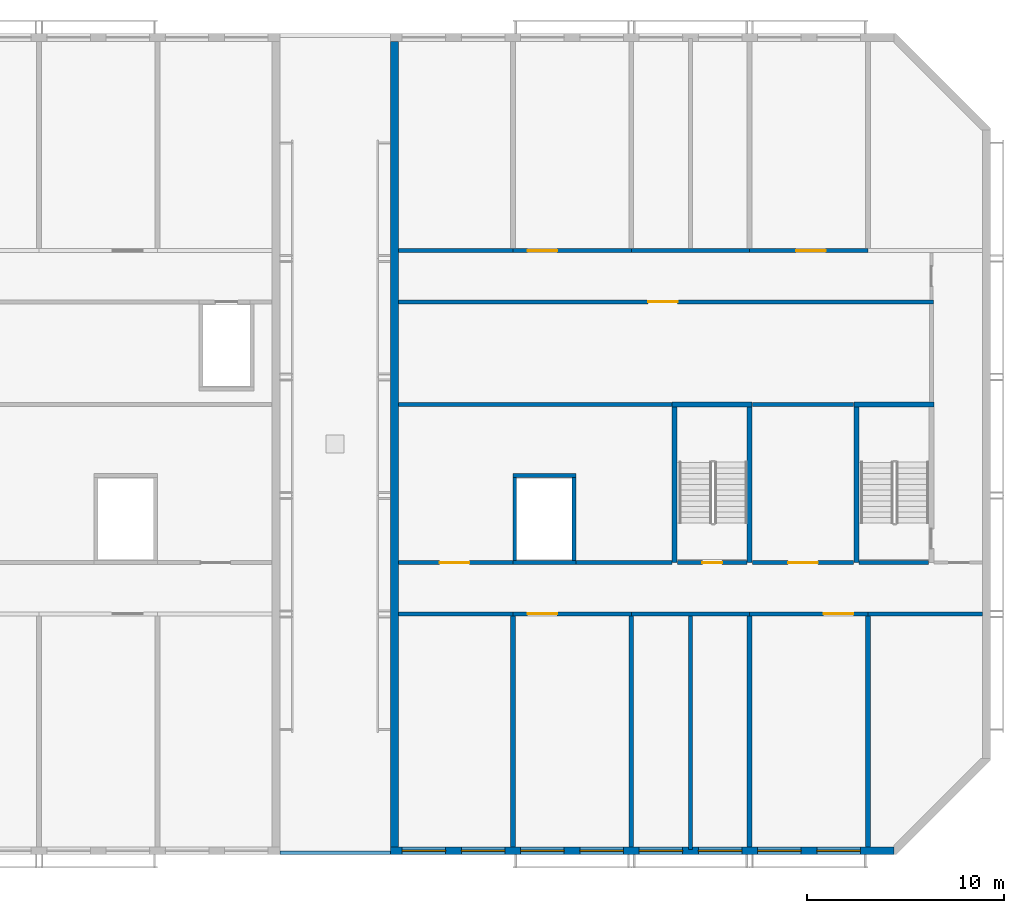
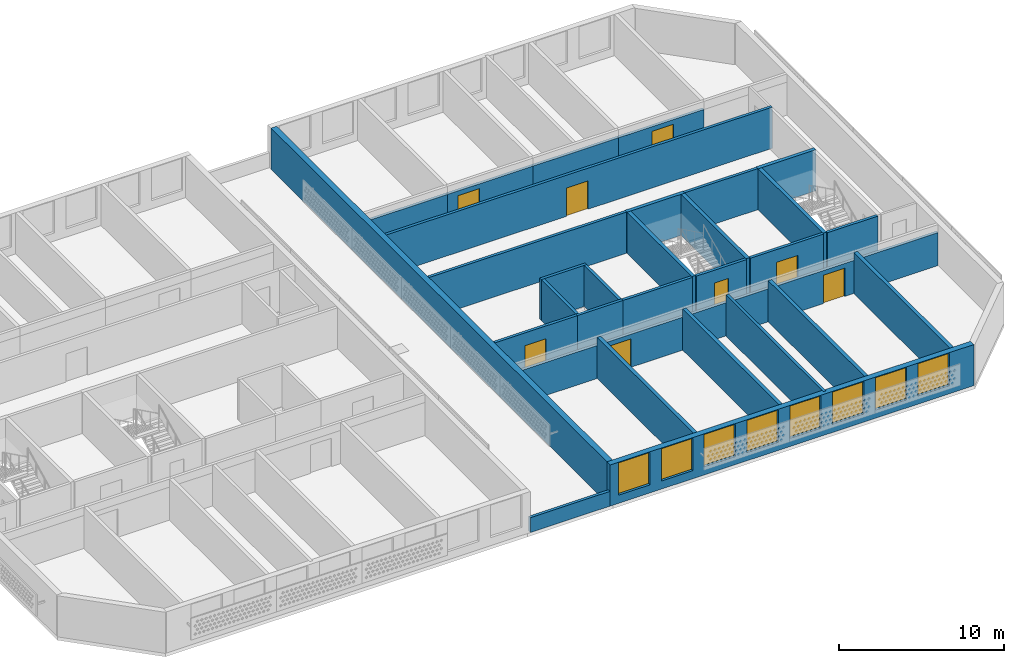
# One storey, part 3 of 18: 34 walls, 8 doors, 8 windows, 16 openings.
"""IFC4 building model written with IfcOpenShell, lengths in metres."""

import ifcopenshell
import ifcopenshell.guid

model = None  # the IFC model being written
_history = None  # IfcOwnerHistory: only IFC2X3 demands one
_inside = {}  # id of a spatial element -> (the spatial element, [elements in it])
_under = {}  # id of a project, library or spatial element -> (it, [spatial elements below it])
_declared = {}  # id of a project -> (the project, [libraries it declares])
_typed = {}  # id of a type object -> (the type object, [elements of that type])
_made_of = {}  # id of a material, layer set ... -> (it, [elements and type objects made of it])


def new_model(schema):
    """Start an empty IFC model of exactly this schema.

    Asked for "IFC4X3", IfcOpenShell would pick the latest addendum, in which some entities
    have other attributes; the version numbers below select the first issue.
    IFC2X3 requires an IfcOwnerHistory on every rooted entity: one is made here for all.
    """
    global model, _history
    if schema == "IFC4X3":
        model = ifcopenshell.file(schema_version=(4, 3, 0, 0))
    else:
        model = ifcopenshell.file(schema=schema)
    _inside.clear()
    _under.clear()
    _declared.clear()
    _typed.clear()
    _made_of.clear()
    _history = None
    if model.schema == "IFC2X3":
        org = make("IfcOrganization", Name="unknown")
        user = make(
            "IfcPersonAndOrganization",
            ThePerson=make("IfcPerson", FamilyName="unknown"),
            TheOrganization=org,
        )
        app = make(
            "IfcApplication",
            ApplicationDeveloper=org,
            Version="unknown",
            ApplicationFullName="unknown",
            ApplicationIdentifier="unknown",
        )
        _history = make(
            "IfcOwnerHistory",
            OwningUser=user,
            OwningApplication=app,
            ChangeAction="ADDED",
            CreationDate=0,
        )
    return model


def make(cls, **values):
    """One entity of the class cls with the attributes given. An attribute that is None is left unset."""
    return model.create_entity(
        cls, **{name: value for name, value in values.items() if value is not None}
    )


def rooted(cls, **values):
    """An entity with a GlobalId (a new one), such as an element, a storey or a relation."""
    return make(cls, GlobalId=ifcopenshell.guid.new(), OwnerHistory=_history, **values)


def si_unit(unit_type, name, prefix=None):
    """IfcSIUnit, for example si_unit("LENGTHUNIT", "METRE", prefix="MILLI")."""
    return make("IfcSIUnit", UnitType=unit_type, Prefix=prefix, Name=name)


def assignment(units):
    """IfcUnitAssignment: the units of a project."""
    return None if units is None else make("IfcUnitAssignment", Units=units)


def point(xyz):
    """IfcCartesianPoint."""
    return None if xyz is None else make("IfcCartesianPoint", Coordinates=xyz)


def direction(xyz):
    """IfcDirection."""
    return None if xyz is None else make("IfcDirection", DirectionRatios=xyz)


def frame(location, z_axis=None, x_axis=None):
    """IfcAxis2Placement3D, a coordinate frame: its origin and axes. An axis left out is left unset."""
    return make(
        "IfcAxis2Placement3D",
        Location=point(location),
        Axis=direction(z_axis),
        RefDirection=direction(x_axis),
    )


def frame_2d(location, x_axis=None):
    """IfcAxis2Placement2D, a coordinate frame in the plane: its origin and x axis."""
    return make(
        "IfcAxis2Placement2D", Location=point(location), RefDirection=direction(x_axis)
    )


def origin():
    """The frame at (0, 0, 0) with its axes left unset."""
    return frame((0.0, 0.0, 0.0))


def place(relative_to, where):
    """IfcLocalPlacement: puts the frame where relative to a parent placement (None: the world)."""
    return make(
        "IfcLocalPlacement", PlacementRelTo=relative_to, RelativePlacement=where
    )


def context(
    kind, dimensions, precision=None, world=None, true_north=None, identifier=None
):
    """IfcGeometricRepresentationContext, for example the 3D "Model" context."""
    return make(
        "IfcGeometricRepresentationContext",
        ContextIdentifier=identifier,
        ContextType=kind,
        CoordinateSpaceDimension=dimensions,
        Precision=precision,
        WorldCoordinateSystem=world,
        TrueNorth=true_north,
    )


def subcontext(parent, identifier, kind, view, scale=None):
    """IfcGeometricRepresentationSubContext, for example "Body" below "Model"."""
    return make(
        "IfcGeometricRepresentationSubContext",
        ContextIdentifier=identifier,
        ContextType=kind,
        ParentContext=parent,
        TargetScale=scale,
        TargetView=view,
    )


def project(units=None, contexts=None):
    """IfcProject with its units and contexts."""
    return rooted(
        "IfcProject",
        Name="project",
        RepresentationContexts=contexts,
        UnitsInContext=assignment(units),
    )


def spatial(cls, under=None, at=None, **own):
    """A site, building, storey or space (cls), placed at a placement, below another one or the project."""
    s = rooted(cls, ObjectPlacement=at, **own)
    if under is not None:
        _under.setdefault(under.id(), (under, []))[1].append(s)
    return s


def polyline(points):
    """IfcPolyline through the points."""
    return make("IfcPolyline", Points=[point(p) for p in points])


def profile(cls, at=None, kind="AREA", **sizes):
    """A parametric profile (cls). Its sizes go by their IFC names, for example OverallWidth=200.0."""
    return make(cls, ProfileType=kind, Position=at, **sizes)


def rectangle(**sizes):
    """IfcRectangleProfileDef."""
    return profile("IfcRectangleProfileDef", **sizes)


def outline(outer, holes=None, kind="AREA"):
    """IfcArbitraryClosedProfileDef: a profile drawn as a closed curve; with holes, ...WithVoids."""
    if holes is None:
        return make("IfcArbitraryClosedProfileDef", ProfileType=kind, OuterCurve=outer)
    return make(
        "IfcArbitraryProfileDefWithVoids",
        ProfileType=kind,
        OuterCurve=outer,
        InnerCurves=holes,
    )


def extrude(swept, where, along, depth):
    """IfcExtrudedAreaSolid: the profile swept, set in the frame where, extruded along a direction by depth."""
    return make(
        "IfcExtrudedAreaSolid",
        SweptArea=swept,
        Position=where,
        ExtrudedDirection=direction(along),
        Depth=depth,
    )


def shape(context_of_items, identifier, shape_type, items):
    """IfcShapeRepresentation: the items that make up one representation, for example the "Body"."""
    return make(
        "IfcShapeRepresentation",
        ContextOfItems=context_of_items,
        RepresentationIdentifier=identifier,
        RepresentationType=shape_type,
        Items=items,
    )


def material(Name=None, Category=None):
    """IfcMaterial."""
    return make("IfcMaterial", Name=Name, Category=Category)


def layer(
    of_material, thickness, ventilated=None, Name=None, Category=None, Priority=None
):
    """IfcMaterialLayer: one layer of a wall or slab, of a material (None: an air gap)."""
    return make(
        "IfcMaterialLayer",
        Material=of_material,
        LayerThickness=thickness,
        IsVentilated=ventilated,
        Name=Name,
        Category=Category,
        Priority=Priority,
    )


def layer_set(layers, Name=None):
    """IfcMaterialLayerSet."""
    return make("IfcMaterialLayerSet", MaterialLayers=layers, LayerSetName=Name)


def made_of(thing, what):
    """Note that an element or type object is made of a material, layer set ...; save() writes the relation."""
    if what is not None:
        _made_of.setdefault(what.id(), (what, []))[1].append(thing)
    return thing


def type_object(cls, material=None, **own):
    """A type object (cls), such as IfcWallType, which elements share."""
    return made_of(rooted(cls, **own), material)


def element(
    cls,
    number,
    at=None,
    inside=None,
    cuts=None,
    type_object=None,
    material=None,
    context=None,
    identifier="Body",
    shape_type=None,
    held_by="IfcProductDefinitionShape",
    body=None,
    shapes=None,
    **own,
):
    """One element of the class cls, such as IfcWall. Its Tag is "e" and its number.

    at: its placement. inside: the storey or other place that contains it. cuts: it is an
    opening in that element (IfcRelVoidsElement). A single representation is given by context,
    identifier, shape_type and body (its items); several are given by shapes. held_by: the class
    of the entity that holds the representations. save() writes the other relations.
    """
    e = rooted(cls, Tag="e%d" % number, ObjectPlacement=at, **own)
    if body is not None:
        shapes = [shape(context, identifier, shape_type, body)]
    if shapes is not None:
        e.Representation = make(held_by, Representations=shapes)
    if inside is not None:
        _inside.setdefault(inside.id(), (inside, []))[1].append(e)
    if cuts is not None:
        rooted(
            "IfcRelVoidsElement", RelatingBuildingElement=cuts, RelatedOpeningElement=e
        )
    if type_object is not None:
        _typed.setdefault(type_object.id(), (type_object, []))[1].append(e)
    return made_of(e, material)


def fill(opening, filler):
    """IfcRelFillsElement: the door or window that sits in an opening."""
    return rooted(
        "IfcRelFillsElement",
        RelatingOpeningElement=opening,
        RelatedBuildingElement=filler,
    )


def aggregate(whole, parts):
    """IfcRelAggregates: a whole, such as a stair, and the parts it consists of."""
    return rooted("IfcRelAggregates", RelatingObject=whole, RelatedObjects=parts)


def save(model, path):
    """Write the relations noted so far, then the file.

    IfcRelAggregates (storeys below a building ...), IfcRelContainedInSpatialStructure (elements
    in a storey), IfcRelDefinesByType, IfcRelAssociatesMaterial and IfcRelDeclares: one each for
    every whole, place, type object, material and project.
    """
    for whole, parts in _under.values():
        aggregate(whole, parts)
    for where, things in _inside.values():
        rooted(
            "IfcRelContainedInSpatialStructure",
            RelatedElements=things,
            RelatingStructure=where,
        )
    for kind, things in _typed.values():
        rooted("IfcRelDefinesByType", RelatedObjects=things, RelatingType=kind)
    for what, things in _made_of.values():
        rooted("IfcRelAssociatesMaterial", RelatedObjects=things, RelatingMaterial=what)
    for by, libraries in _declared.values():
        rooted("IfcRelDeclares", RelatingContext=by, RelatedDefinitions=libraries)
    model.write(path)


model = new_model("IFC4")

# Units and contexts
model_context = context("Model", 3, precision=1e-05, world=origin(), true_north=direction((0.0, 1.0)))
body_context = subcontext(model_context, "Body", "Model", "MODEL_VIEW")
ifc_project = project(units=[si_unit("LENGTHUNIT", "METRE"), si_unit("AREAUNIT", "SQUARE_METRE"), si_unit("VOLUMEUNIT", "CUBIC_METRE"), si_unit("PLANEANGLEUNIT", "RADIAN"), si_unit("MASSUNIT", "GRAM", prefix="KILO")], contexts=[model_context])

# Site, building, storey
site_placement = place(None, origin())
site = spatial("IfcSite", under=ifc_project, at=site_placement, CompositionType="ELEMENT")
building_placement = place(site_placement, origin())
building = spatial("IfcBuilding", under=site, at=building_placement, Name="Poui Terraces", CompositionType="ELEMENT")
storey_placement = place(building_placement, frame((0.0, 0.0, 272.39990234375)))
storey = spatial("IfcBuildingStorey", under=building, at=storey_placement, Name="L75 CROWN", CompositionType="ELEMENT", Elevation=272.39990234375)

# Wall
ifc_material_1 = material(Name="Concrete 50 MPa", Category="concrete")
ifc_layer_1 = layer(ifc_material_1, 0.199951171875)
ifc_layer_set_1 = layer_set([ifc_layer_1], Name="Concrete 50 MPa")
wall_type_1 = type_object("IfcWallType", Name="CORRIDOR WALL 200 50MPa", PredefinedType="SHEAR", material=ifc_layer_set_1)
wall_1_placement = place(storey_placement, frame((54.199951171875, 12.0, 0.0), z_axis=(0.0, 0.0, 1.0), x_axis=(1.0, 0.0, 0.0)))
element("IfcWall", 1, at=wall_1_placement, inside=storey, type_object=wall_type_1, Name="CORRIDOR WALL LINE B BAY E1", PredefinedType="SHEAR", context=body_context, shape_type="SweptSolid", body=[
    extrude(rectangle(XDim=5.800048828125, YDim=0.199951171875, at=frame_2d((2.89990234375, 0.0))), origin(), (0.0, 0.0, 1.0), 2.4501953125),
])

# Wall, opening, door
wall_2_placement = place(storey_placement, frame((60.0, 12.0, 0.0), z_axis=(0.0, 0.0, 1.0), x_axis=(1.0, 0.0, 0.0)))
wall_2 = element("IfcWall", 2, at=wall_2_placement, inside=storey, type_object=wall_type_1, Name="CORRIDOR WALL LINE B BAY E2", PredefinedType="SHEAR", context=body_context, shape_type="SweptSolid", body=[
    extrude(rectangle(XDim=6.0, YDim=0.199951171875, at=frame_2d((3.0, 0.0))), origin(), (0.0, 0.0, 1.0), 2.4501953125),
])
opening_1_placement = place(wall_2_placement, frame((0.75, 0.0, 0.0)))
opening_1 = element("IfcOpeningElement", 3, at=opening_1_placement, cuts=wall_2, Name="Opening FDP", PredefinedType="OPENING", context=body_context, shape_type="SweptSolid", body=[
    extrude(rectangle(XDim=1.5, YDim=2.10009765625, at=frame_2d((0.75, 1.050048828125))), frame((0.0, 0.10986328125, 0.0), z_axis=(0.0, -1.0, 0.0), x_axis=(1.0, 0.0, 0.0)), (0.0, 0.0, 1.0), 0.219970703125),
])
ifc_material_2 = material(Name="Steel fire door", Category="steel")
door_type_1 = type_object("IfcDoorType", Name="PLANT ROOM DOOR PAIR 1500 X 2100", OperationType="DOUBLE_DOOR_SINGLE_SWING", PredefinedType="DOOR", material=ifc_material_2)
door_1_placement = place(opening_1_placement, origin())
door_1 = element("IfcDoor", 4, at=door_1_placement, inside=storey, type_object=door_type_1, Name="PLANT ROOM DOOR PAIR 005", OperationType="DOUBLE_DOOR_SINGLE_SWING", OverallHeight=2.10009765625, OverallWidth=1.5, PredefinedType="DOOR", context=body_context, shape_type="SweptSolid", body=[
    extrude(rectangle(XDim=1.5, YDim=2.10009765625, at=frame_2d((0.75, 1.050048828125))), frame((0.0, 0.02490234375, 0.0), z_axis=(0.0, -1.0, 0.0), x_axis=(1.0, 0.0, 0.0)), (0.0, 0.0, 1.0), 0.050048828125),
])
fill(opening_1, door_1)

# Wall
wall_3_placement = place(storey_placement, frame((66.0, 12.0, 0.0), z_axis=(0.0, 0.0, 1.0), x_axis=(1.0, 0.0, 0.0)))
element("IfcWall", 5, at=wall_3_placement, inside=storey, type_object=wall_type_1, Name="CORRIDOR WALL LINE B BAY E3", PredefinedType="SHEAR", context=body_context, shape_type="SweptSolid", body=[
    extrude(rectangle(XDim=6.0, YDim=0.199951171875, at=frame_2d((3.0, 0.0))), origin(), (0.0, 0.0, 1.0), 2.4501953125),
])

# Wall, opening, door
wall_4_placement = place(storey_placement, frame((72.0, 12.0, 0.0), z_axis=(0.0, 0.0, 1.0), x_axis=(1.0, 0.0, 0.0)))
wall_4 = element("IfcWall", 6, at=wall_4_placement, inside=storey, type_object=wall_type_1, Name="CORRIDOR WALL LINE B BAY E4", PredefinedType="SHEAR", context=body_context, shape_type="SweptSolid", body=[
    extrude(rectangle(XDim=6.0, YDim=0.199951171875, at=frame_2d((3.0, 0.0))), origin(), (0.0, 0.0, 1.0), 2.4501953125),
])
opening_2_placement = place(wall_4_placement, frame((3.75, 0.0, 0.0)))
opening_2 = element("IfcOpeningElement", 7, at=opening_2_placement, cuts=wall_4, Name="Opening FDP", PredefinedType="OPENING", context=body_context, shape_type="SweptSolid", body=[
    extrude(rectangle(XDim=1.5, YDim=2.10009765625, at=frame_2d((0.75, 1.050048828125))), frame((0.0, 0.10986328125, 0.0), z_axis=(0.0, -1.0, 0.0), x_axis=(1.0, 0.0, 0.0)), (0.0, 0.0, 1.0), 0.219970703125),
])
door_2_placement = place(opening_2_placement, origin())
door_2 = element("IfcDoor", 8, at=door_2_placement, inside=storey, type_object=door_type_1, Name="PLANT ROOM DOOR PAIR 007", OperationType="DOUBLE_DOOR_SINGLE_SWING", OverallHeight=2.10009765625, OverallWidth=1.5, PredefinedType="DOOR", context=body_context, shape_type="SweptSolid", body=[
    extrude(rectangle(XDim=1.5, YDim=2.10009765625, at=frame_2d((0.75, 1.050048828125))), frame((0.0, 0.02490234375, 0.0), z_axis=(0.0, -1.0, 0.0), x_axis=(1.0, 0.0, 0.0)), (0.0, 0.0, 1.0), 0.050048828125),
])
fill(opening_2, door_2)

# Walls
for number, where, z_axis, x_axis, name in (
    (9, (78.0, 12.0, 0.0), (0.0, 0.0, 1.0), (1.0, 0.0, 0.0), "CORRIDOR WALL LINE B BAY E5"),
    (10, (54.199951171875, 30.39990234375, 0.0), (0.0, 0.0, 1.0), (1.0, 0.0, 0.0), "CORRIDOR WALL LINE E BAY E1"),
):
    element("IfcWall", number, at=place(storey_placement, frame(where, z_axis=z_axis, x_axis=x_axis)), inside=storey, type_object=wall_type_1, Name=name, PredefinedType="SHEAR", context=body_context, shape_type="SweptSolid", body=[
        extrude(rectangle(XDim=5.800048828125, YDim=0.199951171875, at=frame_2d((2.89990234375, 0.0))), origin(), (0.0, 0.0, 1.0), 2.4501953125),
    ])

# Wall, opening, door
wall_5_placement = place(storey_placement, frame((60.0, 30.39990234375, 0.0), z_axis=(0.0, 0.0, 1.0), x_axis=(1.0, 0.0, 0.0)))
wall_5 = element("IfcWall", 11, at=wall_5_placement, inside=storey, type_object=wall_type_1, Name="CORRIDOR WALL LINE E BAY E2", PredefinedType="SHEAR", context=body_context, shape_type="SweptSolid", body=[
    extrude(rectangle(XDim=6.0, YDim=0.199951171875, at=frame_2d((3.0, 0.0))), origin(), (0.0, 0.0, 1.0), 2.4501953125),
])
opening_3_placement = place(wall_5_placement, frame((0.75, 0.0, 0.0)))
opening_3 = element("IfcOpeningElement", 12, at=opening_3_placement, cuts=wall_5, Name="Opening FDP", PredefinedType="OPENING", context=body_context, shape_type="SweptSolid", body=[
    extrude(rectangle(XDim=1.5, YDim=2.10009765625, at=frame_2d((0.75, 1.050048828125))), frame((0.0, 0.10986328125, 0.0), z_axis=(0.0, -1.0, 0.0), x_axis=(1.0, 0.0, 0.0)), (0.0, 0.0, 1.0), 0.219970703125),
])
door_3_placement = place(opening_3_placement, frame((1.5, 0.0, 0.0), z_axis=(0.0, 0.0, 1.0), x_axis=(-1.0, 0.0, 0.0)))
door_3 = element("IfcDoor", 13, at=door_3_placement, inside=storey, type_object=door_type_1, Name="PLANT ROOM DOOR PAIR 001", OperationType="DOUBLE_DOOR_SINGLE_SWING", OverallHeight=2.10009765625, OverallWidth=1.5, PredefinedType="DOOR", context=body_context, shape_type="SweptSolid", body=[
    extrude(rectangle(XDim=1.5, YDim=2.10009765625, at=frame_2d((0.75, 1.050048828125))), frame((0.0, 0.02490234375, 0.0), z_axis=(0.0, -1.0, 0.0), x_axis=(1.0, 0.0, 0.0)), (0.0, 0.0, 1.0), 0.050048828125),
])
fill(opening_3, door_3)

# Wall
wall_6_placement = place(storey_placement, frame((66.0, 30.39990234375, 0.0), z_axis=(0.0, 0.0, 1.0), x_axis=(1.0, 0.0, 0.0)))
element("IfcWall", 14, at=wall_6_placement, inside=storey, type_object=wall_type_1, Name="CORRIDOR WALL LINE E BAY E3", PredefinedType="SHEAR", context=body_context, shape_type="SweptSolid", body=[
    extrude(rectangle(XDim=6.0, YDim=0.199951171875, at=frame_2d((3.0, 0.0))), origin(), (0.0, 0.0, 1.0), 2.4501953125),
])

# Wall, opening, door
wall_7_placement = place(storey_placement, frame((72.0, 30.39990234375, 0.0), z_axis=(0.0, 0.0, 1.0), x_axis=(1.0, 0.0, 0.0)))
wall_7 = element("IfcWall", 15, at=wall_7_placement, inside=storey, type_object=wall_type_1, Name="CORRIDOR WALL LINE E BAY E4", PredefinedType="SHEAR", context=body_context, shape_type="SweptSolid", body=[
    extrude(rectangle(XDim=6.0, YDim=0.199951171875, at=frame_2d((3.0, 0.0))), origin(), (0.0, 0.0, 1.0), 2.4501953125),
])
opening_4_placement = place(wall_7_placement, frame((2.35009765625, 0.0, 0.0)))
opening_4 = element("IfcOpeningElement", 16, at=opening_4_placement, cuts=wall_7, Name="Opening FDP", PredefinedType="OPENING", context=body_context, shape_type="SweptSolid", body=[
    extrude(rectangle(XDim=1.5, YDim=2.10009765625, at=frame_2d((0.75, 1.050048828125))), frame((0.0, 0.10986328125, 0.0), z_axis=(0.0, -1.0, 0.0), x_axis=(1.0, 0.0, 0.0)), (0.0, 0.0, 1.0), 0.219970703125),
])
door_4_placement = place(opening_4_placement, frame((1.5, 0.0, 0.0), z_axis=(0.0, 0.0, 1.0), x_axis=(-1.0, 0.0, 0.0)))
door_4 = element("IfcDoor", 17, at=door_4_placement, inside=storey, type_object=door_type_1, Name="PLANT ROOM DOOR PAIR 003", OperationType="DOUBLE_DOOR_SINGLE_SWING", OverallHeight=2.10009765625, OverallWidth=1.5, PredefinedType="DOOR", context=body_context, shape_type="SweptSolid", body=[
    extrude(rectangle(XDim=1.5, YDim=2.10009765625, at=frame_2d((0.75, 1.050048828125))), frame((0.0, 0.02490234375, 0.0), z_axis=(0.0, -1.0, 0.0), x_axis=(1.0, 0.0, 0.0)), (0.0, 0.0, 1.0), 0.050048828125),
])
fill(opening_4, door_4)

# Walls
ifc_layer_2 = layer(ifc_material_1, 0.25)
ifc_layer_set_2 = layer_set([ifc_layer_2], Name="Concrete 50 MPa")
wall_type_2 = type_object("IfcWallType", Name="CROSS WALL 250 50MPa", PredefinedType="SHEAR", material=ifc_layer_set_2)
for number, where, z_axis, x_axis, name in (
    (18, (60.0, 0.199951171875, 0.0), (0.0, 0.0, 1.0), (0.0, 1.0, 0.0), "CROSS WALL LINE 11 SOUTH"),
    (19, (66.0, 0.199951171875, 0.0), (0.0, 0.0, 1.0), (0.0, 1.0, 0.0), "CROSS WALL LINE 12 SOUTH"),
    (20, (72.0, 0.199951171875, 0.0), (0.0, 0.0, 1.0), (0.0, 1.0, 0.0), "CROSS WALL LINE 13 SOUTH"),
    (21, (78.0, 0.199951171875, 0.0), (0.0, 0.0, 1.0), (0.0, 1.0, 0.0), "CROSS WALL LINE 14 SOUTH"),
):
    element("IfcWall", number, at=place(storey_placement, frame(where, z_axis=z_axis, x_axis=x_axis)), inside=storey, type_object=wall_type_2, Name=name, PredefinedType="SHEAR", context=body_context, shape_type="SweptSolid", body=[
        extrude(rectangle(XDim=11.699951171875, YDim=0.25, at=frame_2d((5.85009765625, 0.0))), origin(), (0.0, 0.0, 1.0), 3.050048828125),
    ])
ifc_layer_3 = layer(ifc_material_1, 0.39990234375)
ifc_layer_set_3 = layer_set([ifc_layer_3], Name="Concrete 50 MPa")
wall_type_3 = type_object("IfcWallType", Name="END WALL 400 50MPa", PredefinedType="SHEAR", material=ifc_layer_set_3)
wall_8_placement = place(storey_placement, frame((54.0, 0.199951171875, 0.0), z_axis=(0.0, 0.0, 1.0), x_axis=(0.0, 1.0, 0.0)))
element("IfcWall", 22, at=wall_8_placement, inside=storey, type_object=wall_type_3, Name="END WALL LINE 10", PredefinedType="SHEAR", context=body_context, shape_type="SweptSolid", body=[
    extrude(rectangle(XDim=40.800048828125, YDim=0.39990234375, at=frame_2d((20.39990234375, 0.0))), origin(), (0.0, 0.0, 1.0), 3.050048828125),
])

# Wall, openings, windows
ifc_material_3 = material(Name="Precast concrete 40 MPa", Category="concrete")
ifc_layer_4 = layer(ifc_material_3, 0.39990234375)
ifc_layer_set_4 = layer_set([ifc_layer_4], Name="Precast concrete 40 MPa")
wall_type_4 = type_object("IfcWallType", Name="EXTERNAL WALL 400", PredefinedType="STANDARD", material=ifc_layer_set_4)
wall_9_placement = place(storey_placement, frame((53.800048828125, 0.0, 0.0), z_axis=(0.0, 0.0, 1.0), x_axis=(1.0, 0.0, 0.0)))
wall_9 = element("IfcWall", 23, at=wall_9_placement, inside=storey, type_object=wall_type_4, Name="EXTERNAL WALL S", PredefinedType="STANDARD", context=body_context, shape_type="SweptSolid", body=[
    extrude(rectangle(XDim=25.51708984375, YDim=0.39990234375, at=frame_2d((12.758544921875, 0.0))), origin(), (0.0, 0.0, 1.0), 3.050048828125),
])
opening_5_placement = place(wall_9_placement, frame((0.60009765625, 0.0, 0.60009765625)))
opening_5 = element("IfcOpeningElement", 24, at=opening_5_placement, cuts=wall_9, Name="Opening W5", PredefinedType="OPENING", context=body_context, shape_type="SweptSolid", body=[
    extrude(rectangle(XDim=2.199951171875, YDim=2.39990234375, at=frame_2d((1.10009765625, 1.199951171875))), frame((0.0, 0.2099609375, 0.0), z_axis=(0.0, -1.0, 0.0), x_axis=(1.0, 0.0, 0.0)), (0.0, 0.0, 1.0), 0.419921875),
])
opening_6_placement = place(wall_9_placement, frame((3.60009765625, 0.0, 0.60009765625)))
opening_6 = element("IfcOpeningElement", 25, at=opening_6_placement, cuts=wall_9, Name="Opening W5", PredefinedType="OPENING", context=body_context, shape_type="SweptSolid", body=[
    extrude(rectangle(XDim=2.199951171875, YDim=2.39990234375, at=frame_2d((1.10009765625, 1.199951171875))), frame((0.0, 0.2099609375, 0.0), z_axis=(0.0, -1.0, 0.0), x_axis=(1.0, 0.0, 0.0)), (0.0, 0.0, 1.0), 0.419921875),
])
opening_7_placement = place(wall_9_placement, frame((6.60009765625, 0.0, 0.60009765625)))
opening_7 = element("IfcOpeningElement", 26, at=opening_7_placement, cuts=wall_9, Name="Opening W5", PredefinedType="OPENING", context=body_context, shape_type="SweptSolid", body=[
    extrude(rectangle(XDim=2.199951171875, YDim=2.39990234375, at=frame_2d((1.10009765625, 1.199951171875))), frame((0.0, 0.2099609375, 0.0), z_axis=(0.0, -1.0, 0.0), x_axis=(1.0, 0.0, 0.0)), (0.0, 0.0, 1.0), 0.419921875),
])
opening_8_placement = place(wall_9_placement, frame((9.60009765625, 0.0, 0.60009765625)))
opening_8 = element("IfcOpeningElement", 27, at=opening_8_placement, cuts=wall_9, Name="Opening W5", PredefinedType="OPENING", context=body_context, shape_type="SweptSolid", body=[
    extrude(rectangle(XDim=2.199951171875, YDim=2.39990234375, at=frame_2d((1.10009765625, 1.199951171875))), frame((0.0, 0.2099609375, 0.0), z_axis=(0.0, -1.0, 0.0), x_axis=(1.0, 0.0, 0.0)), (0.0, 0.0, 1.0), 0.419921875),
])
opening_9_placement = place(wall_9_placement, frame((12.60009765625, 0.0, 0.60009765625)))
opening_9 = element("IfcOpeningElement", 28, at=opening_9_placement, cuts=wall_9, Name="Opening W5", PredefinedType="OPENING", context=body_context, shape_type="SweptSolid", body=[
    extrude(rectangle(XDim=2.199951171875, YDim=2.39990234375, at=frame_2d((1.10009765625, 1.199951171875))), frame((0.0, 0.2099609375, 0.0), z_axis=(0.0, -1.0, 0.0), x_axis=(1.0, 0.0, 0.0)), (0.0, 0.0, 1.0), 0.419921875),
])
opening_10_placement = place(wall_9_placement, frame((15.60009765625, 0.0, 0.60009765625)))
opening_10 = element("IfcOpeningElement", 29, at=opening_10_placement, cuts=wall_9, Name="Opening W5", PredefinedType="OPENING", context=body_context, shape_type="SweptSolid", body=[
    extrude(rectangle(XDim=2.199951171875, YDim=2.39990234375, at=frame_2d((1.10009765625, 1.199951171875))), frame((0.0, 0.2099609375, 0.0), z_axis=(0.0, -1.0, 0.0), x_axis=(1.0, 0.0, 0.0)), (0.0, 0.0, 1.0), 0.419921875),
])
opening_11_placement = place(wall_9_placement, frame((18.60009765625, 0.0, 0.60009765625)))
opening_11 = element("IfcOpeningElement", 30, at=opening_11_placement, cuts=wall_9, Name="Opening W5", PredefinedType="OPENING", context=body_context, shape_type="SweptSolid", body=[
    extrude(rectangle(XDim=2.199951171875, YDim=2.39990234375, at=frame_2d((1.10009765625, 1.199951171875))), frame((0.0, 0.2099609375, 0.0), z_axis=(0.0, -1.0, 0.0), x_axis=(1.0, 0.0, 0.0)), (0.0, 0.0, 1.0), 0.419921875),
])
opening_12_placement = place(wall_9_placement, frame((21.60009765625, 0.0, 0.60009765625)))
opening_12 = element("IfcOpeningElement", 31, at=opening_12_placement, cuts=wall_9, Name="Opening W5", PredefinedType="OPENING", context=body_context, shape_type="SweptSolid", body=[
    extrude(rectangle(XDim=2.199951171875, YDim=2.39990234375, at=frame_2d((1.10009765625, 1.199951171875))), frame((0.0, 0.2099609375, 0.0), z_axis=(0.0, -1.0, 0.0), x_axis=(1.0, 0.0, 0.0)), (0.0, 0.0, 1.0), 0.419921875),
])
ifc_material_4 = material(Name="Clear glass in aluminium frame", Category="aluminium")
window_type = type_object("IfcWindowType", Name="WINDOW 2200X2400", PartitioningType="TRIPLE_PANEL_HORIZONTAL", PredefinedType="WINDOW", material=ifc_material_4)
window_1_placement = place(opening_5_placement, origin())
window_1 = element("IfcWindow", 32, at=window_1_placement, inside=storey, type_object=window_type, Name="W5 WINDOW", OverallHeight=2.39990234375, OverallWidth=2.199951171875, PartitioningType="TRIPLE_PANEL_HORIZONTAL", PredefinedType="WINDOW", context=body_context, shape_type="SweptSolid", body=[
    extrude(rectangle(XDim=2.199951171875, YDim=2.39990234375, at=frame_2d((1.10009765625, 1.199951171875))), frame((0.0, 0.030029296875, 0.0), z_axis=(0.0, -1.0, 0.0), x_axis=(1.0, 0.0, 0.0)), (0.0, 0.0, 1.0), 0.06005859375),
])
fill(opening_5, window_1)
window_2_placement = place(opening_6_placement, origin())
window_2 = element("IfcWindow", 33, at=window_2_placement, inside=storey, type_object=window_type, Name="W5 WINDOW", OverallHeight=2.39990234375, OverallWidth=2.199951171875, PartitioningType="TRIPLE_PANEL_HORIZONTAL", PredefinedType="WINDOW", context=body_context, shape_type="SweptSolid", body=[
    extrude(rectangle(XDim=2.199951171875, YDim=2.39990234375, at=frame_2d((1.10009765625, 1.199951171875))), frame((0.0, 0.030029296875, 0.0), z_axis=(0.0, -1.0, 0.0), x_axis=(1.0, 0.0, 0.0)), (0.0, 0.0, 1.0), 0.06005859375),
])
fill(opening_6, window_2)
window_3_placement = place(opening_7_placement, origin())
window_3 = element("IfcWindow", 34, at=window_3_placement, inside=storey, type_object=window_type, Name="W5 WINDOW", OverallHeight=2.39990234375, OverallWidth=2.199951171875, PartitioningType="TRIPLE_PANEL_HORIZONTAL", PredefinedType="WINDOW", context=body_context, shape_type="SweptSolid", body=[
    extrude(rectangle(XDim=2.199951171875, YDim=2.39990234375, at=frame_2d((1.10009765625, 1.199951171875))), frame((0.0, 0.030029296875, 0.0), z_axis=(0.0, -1.0, 0.0), x_axis=(1.0, 0.0, 0.0)), (0.0, 0.0, 1.0), 0.06005859375),
])
fill(opening_7, window_3)
window_4_placement = place(opening_8_placement, origin())
window_4 = element("IfcWindow", 35, at=window_4_placement, inside=storey, type_object=window_type, Name="W5 WINDOW", OverallHeight=2.39990234375, OverallWidth=2.199951171875, PartitioningType="TRIPLE_PANEL_HORIZONTAL", PredefinedType="WINDOW", context=body_context, shape_type="SweptSolid", body=[
    extrude(rectangle(XDim=2.199951171875, YDim=2.39990234375, at=frame_2d((1.10009765625, 1.199951171875))), frame((0.0, 0.030029296875, 0.0), z_axis=(0.0, -1.0, 0.0), x_axis=(1.0, 0.0, 0.0)), (0.0, 0.0, 1.0), 0.06005859375),
])
fill(opening_8, window_4)
window_5_placement = place(opening_9_placement, origin())
window_5 = element("IfcWindow", 36, at=window_5_placement, inside=storey, type_object=window_type, Name="W5 WINDOW", OverallHeight=2.39990234375, OverallWidth=2.199951171875, PartitioningType="TRIPLE_PANEL_HORIZONTAL", PredefinedType="WINDOW", context=body_context, shape_type="SweptSolid", body=[
    extrude(rectangle(XDim=2.199951171875, YDim=2.39990234375, at=frame_2d((1.10009765625, 1.199951171875))), frame((0.0, 0.030029296875, 0.0), z_axis=(0.0, -1.0, 0.0), x_axis=(1.0, 0.0, 0.0)), (0.0, 0.0, 1.0), 0.06005859375),
])
fill(opening_9, window_5)
window_6_placement = place(opening_10_placement, origin())
window_6 = element("IfcWindow", 37, at=window_6_placement, inside=storey, type_object=window_type, Name="W5 WINDOW", OverallHeight=2.39990234375, OverallWidth=2.199951171875, PartitioningType="TRIPLE_PANEL_HORIZONTAL", PredefinedType="WINDOW", context=body_context, shape_type="SweptSolid", body=[
    extrude(rectangle(XDim=2.199951171875, YDim=2.39990234375, at=frame_2d((1.10009765625, 1.199951171875))), frame((0.0, 0.030029296875, 0.0), z_axis=(0.0, -1.0, 0.0), x_axis=(1.0, 0.0, 0.0)), (0.0, 0.0, 1.0), 0.06005859375),
])
fill(opening_10, window_6)
window_7_placement = place(opening_11_placement, origin())
window_7 = element("IfcWindow", 38, at=window_7_placement, inside=storey, type_object=window_type, Name="W5 WINDOW", OverallHeight=2.39990234375, OverallWidth=2.199951171875, PartitioningType="TRIPLE_PANEL_HORIZONTAL", PredefinedType="WINDOW", context=body_context, shape_type="SweptSolid", body=[
    extrude(rectangle(XDim=2.199951171875, YDim=2.39990234375, at=frame_2d((1.10009765625, 1.199951171875))), frame((0.0, 0.030029296875, 0.0), z_axis=(0.0, -1.0, 0.0), x_axis=(1.0, 0.0, 0.0)), (0.0, 0.0, 1.0), 0.06005859375),
])
fill(opening_11, window_7)
window_8_placement = place(opening_12_placement, origin())
window_8 = element("IfcWindow", 39, at=window_8_placement, inside=storey, type_object=window_type, Name="W5 WINDOW", OverallHeight=2.39990234375, OverallWidth=2.199951171875, PartitioningType="TRIPLE_PANEL_HORIZONTAL", PredefinedType="WINDOW", context=body_context, shape_type="SweptSolid", body=[
    extrude(rectangle(XDim=2.199951171875, YDim=2.39990234375, at=frame_2d((1.10009765625, 1.199951171875))), frame((0.0, 0.030029296875, 0.0), z_axis=(0.0, -1.0, 0.0), x_axis=(1.0, 0.0, 0.0)), (0.0, 0.0, 1.0), 0.06005859375),
])
fill(opening_12, window_8)

# Wall, opening, door
ifc_material_5 = material(Name="Fire-rated masonry wall", Category="masonry")
ifc_layer_5 = layer(ifc_material_5, 0.199951171875)
ifc_layer_set_5 = layer_set([ifc_layer_5], Name="Fire-rated masonry wall")
wall_type_5 = type_object("IfcWallType", Name="PLANT ROOM WALL 200", PredefinedType="PARTITIONING", material=ifc_layer_set_5)
wall_10_placement = place(storey_placement, frame((54.2099609375, 14.60009765625, 0.0), z_axis=(0.0, 0.0, 1.0), x_axis=(1.0, 0.0, 0.0)))
wall_10 = element("IfcWall", 40, at=wall_10_placement, inside=storey, type_object=wall_type_5, Name="PLANT ROOM WALL 200", PredefinedType="PARTITIONING", context=body_context, shape_type="SweptSolid", body=[
    extrude(rectangle(XDim=5.989990234375, YDim=0.199951171875, at=frame_2d((2.9951171875, 0.0))), origin(), (0.0, 0.0, 1.0), 3.050048828125),
])
opening_13_placement = place(wall_10_placement, frame((2.090087890625, 0.0, 0.0)))
opening_13 = element("IfcOpeningElement", 41, at=opening_13_placement, cuts=wall_10, Name="Opening FDP", PredefinedType="OPENING", context=body_context, shape_type="SweptSolid", body=[
    extrude(rectangle(XDim=1.5, YDim=2.10009765625, at=frame_2d((0.75, 1.050048828125))), frame((0.0, 0.10986328125, 0.0), z_axis=(0.0, -1.0, 0.0), x_axis=(1.0, 0.0, 0.0)), (0.0, 0.0, 1.0), 0.219970703125),
])
door_5_placement = place(opening_13_placement, frame((1.5, 0.0, 0.0), z_axis=(0.0, 0.0, 1.0), x_axis=(-1.0, 0.0, 0.0)))
door_5 = element("IfcDoor", 42, at=door_5_placement, inside=storey, type_object=door_type_1, Name="PLANT ROOM DOOR PAIR 004", OperationType="DOUBLE_DOOR_SINGLE_SWING", OverallHeight=2.10009765625, OverallWidth=1.5, PredefinedType="DOOR", context=body_context, shape_type="SweptSolid", body=[
    extrude(rectangle(XDim=1.5, YDim=2.10009765625, at=frame_2d((0.75, 1.050048828125))), frame((0.0, 0.02490234375, 0.0), z_axis=(0.0, -1.0, 0.0), x_axis=(1.0, 0.0, 0.0)), (0.0, 0.0, 1.0), 0.050048828125),
])
fill(opening_13, door_5)

# Wall
wall_11_placement = place(storey_placement, frame((63.0, 14.60009765625, 0.0), z_axis=(0.0, 0.0, 1.0), x_axis=(1.0, 0.0, 0.0)))
element("IfcWall", 43, at=wall_11_placement, inside=storey, type_object=wall_type_5, Name="PLANT ROOM WALL 200", PredefinedType="PARTITIONING", context=body_context, shape_type="SweptSolid", body=[
    extrude(rectangle(XDim=5.06494140625, YDim=0.199951171875, at=frame_2d((2.532470703125, 0.0))), origin(), (0.0, 0.0, 1.0), 3.050048828125),
])

# Wall, opening, door
wall_12_placement = place(storey_placement, frame((72.135009765625, 14.60009765625, 0.0), z_axis=(0.0, 0.0, 1.0), x_axis=(1.0, 0.0, 0.0)))
wall_12 = element("IfcWall", 44, at=wall_12_placement, inside=storey, type_object=wall_type_5, Name="PLANT ROOM WALL 200", PredefinedType="PARTITIONING", context=body_context, shape_type="SweptSolid", body=[
    extrude(rectangle(XDim=5.1298828125, YDim=0.199951171875, at=frame_2d((2.56494140625, 0.0))), origin(), (0.0, 0.0, 1.0), 3.050048828125),
])
opening_14_placement = place(wall_12_placement, frame((1.81494140625, 0.0, 0.0)))
opening_14 = element("IfcOpeningElement", 45, at=opening_14_placement, cuts=wall_12, Name="Opening FDP", PredefinedType="OPENING", context=body_context, shape_type="SweptSolid", body=[
    extrude(rectangle(XDim=1.5, YDim=2.10009765625, at=frame_2d((0.75, 1.050048828125))), frame((0.0, 0.10986328125, 0.0), z_axis=(0.0, -1.0, 0.0), x_axis=(1.0, 0.0, 0.0)), (0.0, 0.0, 1.0), 0.219970703125),
])
door_6_placement = place(opening_14_placement, frame((1.5, 0.0, 0.0), z_axis=(0.0, 0.0, 1.0), x_axis=(-1.0, 0.0, 0.0)))
door_6 = element("IfcDoor", 46, at=door_6_placement, inside=storey, type_object=door_type_1, Name="PLANT ROOM DOOR PAIR 006", OperationType="DOUBLE_DOOR_SINGLE_SWING", OverallHeight=2.10009765625, OverallWidth=1.5, PredefinedType="DOOR", context=body_context, shape_type="SweptSolid", body=[
    extrude(rectangle(XDim=1.5, YDim=2.10009765625, at=frame_2d((0.75, 1.050048828125))), frame((0.0, 0.02490234375, 0.0), z_axis=(0.0, -1.0, 0.0), x_axis=(1.0, 0.0, 0.0)), (0.0, 0.0, 1.0), 0.050048828125),
])
fill(opening_14, door_6)

# Walls
wall_13_placement = place(storey_placement, frame((54.2099609375, 22.60009765625, 0.0), z_axis=(0.0, 0.0, 1.0), x_axis=(1.0, 0.0, 0.0)))
element("IfcWall", 47, at=wall_13_placement, inside=storey, type_object=wall_type_5, Name="PLANT ROOM WALL 200", PredefinedType="PARTITIONING", context=body_context, shape_type="SweptSolid", body=[
    extrude(rectangle(XDim=13.85498046875, YDim=0.199951171875, at=frame_2d((6.927490234375, 0.0))), origin(), (0.0, 0.0, 1.0), 3.050048828125),
])
wall_14_placement = place(storey_placement, frame((72.135009765625, 22.60009765625, 0.0), z_axis=(0.0, 0.0, 1.0), x_axis=(1.0, 0.0, 0.0)))
element("IfcWall", 48, at=wall_14_placement, inside=storey, type_object=wall_type_5, Name="PLANT ROOM WALL 200", PredefinedType="PARTITIONING", context=body_context, shape_type="SweptSolid", body=[
    extrude(rectangle(XDim=5.1298828125, YDim=0.199951171875, at=frame_2d((2.56494140625, 0.0))), origin(), (0.0, 0.0, 1.0), 3.050048828125),
])

# Wall, opening, door
wall_15_placement = place(storey_placement, frame((54.2099609375, 27.800048828125, 0.0), z_axis=(0.0, 0.0, 1.0), x_axis=(1.0, 0.0, 0.0)))
wall_15 = element("IfcWall", 49, at=wall_15_placement, inside=storey, type_object=wall_type_5, Name="PLANT ROOM WALL 200", PredefinedType="PARTITIONING", context=body_context, shape_type="SweptSolid", body=[
    extrude(rectangle(XDim=27.090087890625, YDim=0.199951171875, at=frame_2d((13.544921875, 0.0))), origin(), (0.0, 0.0, 1.0), 3.050048828125),
])
opening_15_placement = place(wall_15_placement, frame((12.639892578125, 0.0, 0.0)))
opening_15 = element("IfcOpeningElement", 50, at=opening_15_placement, cuts=wall_15, Name="Opening FDP", PredefinedType="OPENING", context=body_context, shape_type="SweptSolid", body=[
    extrude(rectangle(XDim=1.5, YDim=2.10009765625, at=frame_2d((0.75, 1.050048828125))), frame((0.0, 0.10986328125, 0.0), z_axis=(0.0, -1.0, 0.0), x_axis=(1.0, 0.0, 0.0)), (0.0, 0.0, 1.0), 0.219970703125),
])
door_7_placement = place(opening_15_placement, origin())
door_7 = element("IfcDoor", 51, at=door_7_placement, inside=storey, type_object=door_type_1, Name="PLANT ROOM DOOR PAIR 002", OperationType="DOUBLE_DOOR_SINGLE_SWING", OverallHeight=2.10009765625, OverallWidth=1.5, PredefinedType="DOOR", context=body_context, shape_type="SweptSolid", body=[
    extrude(rectangle(XDim=1.5, YDim=2.10009765625, at=frame_2d((0.75, 1.050048828125))), frame((0.0, 0.02490234375, 0.0), z_axis=(0.0, -1.0, 0.0), x_axis=(1.0, 0.0, 0.0)), (0.0, 0.0, 1.0), 0.050048828125),
])
fill(opening_15, door_7)

# Walls
wall_16_placement = place(storey_placement, frame((69.0, 0.06005859375, 0.0), z_axis=(0.0, 0.0, 1.0), x_axis=(0.0, 1.0, 0.0)))
element("IfcWall", 52, at=wall_16_placement, inside=storey, type_object=wall_type_5, Name="PLANT ROOM WALL 200", PredefinedType="PARTITIONING", context=body_context, shape_type="SweptSolid", body=[
    extrude(rectangle(XDim=11.829833984375, YDim=0.199951171875, at=frame_2d((5.9150390625, 0.0))), origin(), (0.0, 0.0, 1.0), 3.050048828125),
])
ifc_layer_6 = layer(ifc_material_3, 0.199951171875)
ifc_layer_set_6 = layer_set([ifc_layer_6], Name="Precast concrete 40 MPa")
wall_type_6 = type_object("IfcWallType", Name="ROOF PARAPET 200", PredefinedType="PARAPET", material=ifc_layer_set_6)
wall_17_placement = place(storey_placement, origin())
element("IfcWall", 53, at=wall_17_placement, inside=storey, type_object=wall_type_6, Name="SLOT ROOF PARAPET", PredefinedType="PARAPET", context=body_context, shape_type="SweptSolid", body=[
    extrude(outline(polyline([(53.800048828125, -0.199951171875), (53.800048828125, 0.0), (48.219970703125, 0.0), (48.199951171875, 0.0), (48.199951171875, -0.199951171875), (48.219970703125, -0.199951171875), (53.800048828125, -0.199951171875)])), origin(), (0.0, 0.0, 1.0), 1.10009765625),
])
ifc_material_6 = material(Name="Fire-rated masonry shaft wall", Category="masonry")
ifc_layer_7 = layer(ifc_material_6, 0.199951171875)
ifc_layer_set_7 = layer_set([ifc_layer_7], Name="Fire-rated masonry shaft wall")
wall_type_7 = type_object("IfcWallType", Name="SHAFT WALL 200", PredefinedType="PARTITIONING", material=ifc_layer_set_7)
for number, where, z_axis, x_axis, name in (
    (54, (60.0, 14.60009765625, 0.0), (0.0, 0.0, 1.0), (1.0, 0.0, 0.0), "SHAFT WALL 200"),
    (55, (60.0, 19.0, 0.0), (0.0, 0.0, 1.0), (1.0, 0.0, 0.0), "SHAFT WALL 200"),
):
    element("IfcWall", number, at=place(storey_placement, frame(where, z_axis=z_axis, x_axis=x_axis)), inside=storey, type_object=wall_type_7, Name=name, PredefinedType="PARTITIONING", context=body_context, shape_type="SweptSolid", body=[
        extrude(rectangle(XDim=3.199951171875, YDim=0.199951171875, at=frame_2d((1.60009765625, 0.0))), origin(), (0.0, 0.0, 1.0), 3.050048828125),
    ])
for number, where, z_axis, x_axis, name in (
    (56, (60.10009765625, 14.699951171875, 0.0), (0.0, 0.0, 1.0), (0.0, 1.0, 0.0), "SHAFT WALL 200"),
    (57, (63.10009765625, 14.699951171875, 0.0), (0.0, 0.0, 1.0), (0.0, 1.0, 0.0), "SHAFT WALL 200"),
):
    element("IfcWall", number, at=place(storey_placement, frame(where, z_axis=z_axis, x_axis=x_axis)), inside=storey, type_object=wall_type_7, Name=name, PredefinedType="PARTITIONING", context=body_context, shape_type="SweptSolid", body=[
        extrude(rectangle(XDim=4.199951171875, YDim=0.199951171875, at=frame_2d((2.10009765625, 0.0))), origin(), (0.0, 0.0, 1.0), 3.050048828125),
    ])
ifc_layer_8 = layer(ifc_material_1, 0.25)
ifc_layer_set_8 = layer_set([ifc_layer_8], Name="Concrete 50 MPa")
wall_type_8 = type_object("IfcWallType", Name="STAIR CORE WALL 250 50 MPA", PredefinedType="SOLIDWALL", material=ifc_layer_set_8)
wall_18_placement = place(storey_placement, frame((77.39990234375, 14.60009765625, 0.0), z_axis=(0.0, 0.0, 1.0), x_axis=(0.0, 1.0, 0.0)))
element("IfcWall", 58, at=wall_18_placement, inside=storey, type_object=wall_type_8, Name="STAIR CORE WALL", PredefinedType="SOLIDWALL", context=body_context, shape_type="SweptSolid", body=[
    extrude(rectangle(XDim=7.875, YDim=0.25, at=frame_2d((3.9375, 0.0))), origin(), (0.0, 0.0, 1.0), 3.050048828125),
])
wall_19_placement = place(storey_placement, frame((77.27490234375, 22.60009765625, 0.0), z_axis=(0.0, 0.0, 1.0), x_axis=(1.0, 0.0, 0.0)))
element("IfcWall", 59, at=wall_19_placement, inside=storey, type_object=wall_type_8, Name="STAIR CORE WALL", PredefinedType="SOLIDWALL", context=body_context, shape_type="SweptSolid", body=[
    extrude(rectangle(XDim=4.050048828125, YDim=0.25, at=frame_2d((2.02490234375, 0.0))), origin(), (0.0, 0.0, 1.0), 3.050048828125),
])
for number, where, z_axis, x_axis, name in (
    (60, (68.199951171875, 14.60009765625, 0.0), (0.0, 0.0, 1.0), (0.0, 1.0, 0.0), "STAIR CORE WALL"),
    (61, (72.0, 14.60009765625, 0.0), (0.0, 0.0, 1.0), (0.0, 1.0, 0.0), "STAIR CORE WALL"),
):
    element("IfcWall", number, at=place(storey_placement, frame(where, z_axis=z_axis, x_axis=x_axis)), inside=storey, type_object=wall_type_8, Name=name, PredefinedType="SOLIDWALL", context=body_context, shape_type="SweptSolid", body=[
        extrude(rectangle(XDim=7.875, YDim=0.25, at=frame_2d((3.9375, 0.0))), origin(), (0.0, 0.0, 1.0), 3.050048828125),
    ])
wall_20_placement = place(storey_placement, frame((68.074951171875, 22.60009765625, 0.0), z_axis=(0.0, 0.0, 1.0), x_axis=(1.0, 0.0, 0.0)))
element("IfcWall", 62, at=wall_20_placement, inside=storey, type_object=wall_type_8, Name="STAIR CORE WALL", PredefinedType="SOLIDWALL", context=body_context, shape_type="SweptSolid", body=[
    extrude(rectangle(XDim=4.050048828125, YDim=0.25, at=frame_2d((2.02490234375, 0.0))), origin(), (0.0, 0.0, 1.0), 3.050048828125),
])

# Wall, opening, door
ifc_layer_9 = layer(ifc_material_5, 0.199951171875)
ifc_layer_set_9 = layer_set([ifc_layer_9], Name="Fire-rated masonry wall")
wall_type_9 = type_object("IfcWallType", Name="STAIR WALL 200", PredefinedType="PARTITIONING", material=ifc_layer_set_9)
wall_21_placement = place(storey_placement, frame((68.3349609375, 14.60009765625, 0.0), z_axis=(0.0, 0.0, 1.0), x_axis=(1.0, 0.0, 0.0)))
wall_21 = element("IfcWall", 63, at=wall_21_placement, inside=storey, type_object=wall_type_9, Name="STAIR WALL 200", PredefinedType="PARTITIONING", context=body_context, shape_type="SweptSolid", body=[
    extrude(rectangle(XDim=3.530029296875, YDim=0.199951171875, at=frame_2d((1.76513671875, 0.0))), origin(), (0.0, 0.0, 1.0), 3.050048828125),
])
opening_16_placement = place(wall_21_placement, frame((1.264892578125, 0.0, 0.0)))
opening_16 = element("IfcOpeningElement", 64, at=opening_16_placement, cuts=wall_21, Name="Opening FD60S", PredefinedType="OPENING", context=body_context, shape_type="SweptSolid", body=[
    extrude(rectangle(XDim=1.0, YDim=2.10009765625, at=frame_2d((0.5, 1.050048828125))), frame((0.0, 0.10986328125, 0.0), z_axis=(0.0, -1.0, 0.0), x_axis=(1.0, 0.0, 0.0)), (0.0, 0.0, 1.0), 0.219970703125),
])
door_type_2 = type_object("IfcDoorType", Name="STAIR DOOR 1000 X 2100", OperationType="NOTDEFINED", PredefinedType="DOOR", material=ifc_material_2)
door_8_placement = place(opening_16_placement, frame((1.0, 0.0, 0.0), z_axis=(0.0, 0.0, 1.0), x_axis=(-1.0, 0.0, 0.0)))
door_8 = element("IfcDoor", 65, at=door_8_placement, inside=storey, type_object=door_type_2, Name="STAIR DOOR 011", OperationType="SINGLE_SWING_LEFT", OverallHeight=2.10009765625, OverallWidth=1.0, PredefinedType="DOOR", context=body_context, shape_type="SweptSolid", body=[
    extrude(rectangle(XDim=1.0, YDim=2.10009765625, at=frame_2d((0.5, 1.050048828125))), frame((0.0, 0.02490234375, 0.0), z_axis=(0.0, -1.0, 0.0), x_axis=(1.0, 0.0, 0.0)), (0.0, 0.0, 1.0), 0.050048828125),
])
fill(opening_16, door_8)

# Wall
wall_22_placement = place(storey_placement, frame((77.534912109375, 14.60009765625, 0.0), z_axis=(0.0, 0.0, 1.0), x_axis=(1.0, 0.0, 0.0)))
element("IfcWall", 66, at=wall_22_placement, inside=storey, type_object=wall_type_9, Name="STAIR WALL 200", PredefinedType="PARTITIONING", context=body_context, shape_type="SweptSolid", body=[
    extrude(rectangle(XDim=3.530029296875, YDim=0.199951171875, at=frame_2d((1.76513671875, 0.0))), origin(), (0.0, 0.0, 1.0), 3.050048828125),
])

save(model, "model.ifc")
